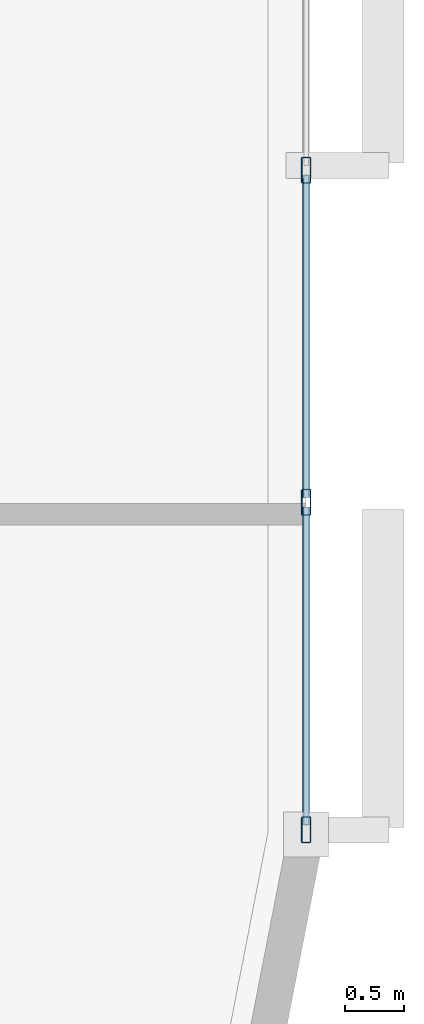
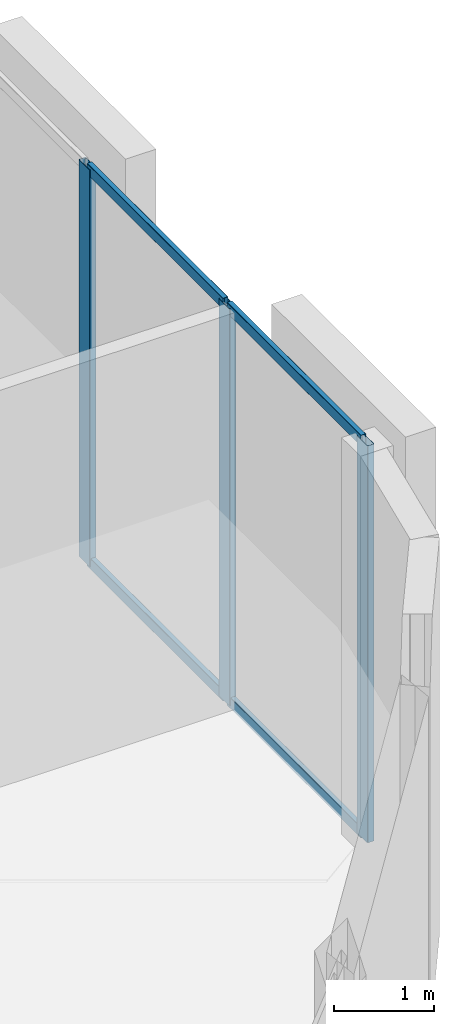
# One storey, part 4 of 12: 7 members, 1 element without a shape of its own.
"""IFC4 building model written with IfcOpenShell, lengths in metres."""

from ifc_helpers import new_model, si_unit, direction, frame, origin, origin_2d, place, context, subcontext, project, spatial, hollow_rectangle, extrude, material, layer, layer_set, material_profile, profile_set, type_object, element, aggregate, save


model = new_model("IFC4")

# Units and contexts
model_context = context("Model", 3, precision=1e-05, world=origin(), true_north=direction((0.0, 1.0)))
body_context = subcontext(model_context, "Body", "Model", "MODEL_VIEW")
ifc_project = project(units=[si_unit("LENGTHUNIT", "METRE"), si_unit("AREAUNIT", "SQUARE_METRE"), si_unit("VOLUMEUNIT", "CUBIC_METRE"), si_unit("PLANEANGLEUNIT", "RADIAN"), si_unit("MASSUNIT", "GRAM", prefix="KILO")], contexts=[model_context])

# Site, building, storey
site_placement = place(None, origin())
site = spatial("IfcSite", under=ifc_project, at=site_placement, CompositionType="ELEMENT")
building_placement = place(site_placement, origin())
building = spatial("IfcBuilding", under=site, at=building_placement, Name="An Khanh Terracotta Commons", CompositionType="ELEMENT")
storey_placement = place(building_placement, frame((0.0, 0.0, 295.300048828125)))
storey = spatial("IfcBuildingStorey", under=building, at=storey_placement, Name="L77", CompositionType="ELEMENT", Elevation=295.300048828125)

# Curtain wall, members
ifc_material = material(Name="Anodised Aluminium 6063-T6", Category="aluminium")
ifc_layer = layer(ifc_material, 0.239990234375, Name="Anodised Aluminium 6063-T6")
ifc_layer_set = layer_set([ifc_layer], Name="Anodised Aluminium 6063-T6")
curtain_wall_type = type_object("IfcCurtainWallType", Name="CW-SYS-04", PredefinedType="USERDEFINED", material=ifc_layer_set)
curtain_wall_placement = place(storey_placement, origin())
curtain_wall = element("IfcCurtainWall", 1, at=curtain_wall_placement, inside=storey, type_object=curtain_wall_type, Name="L77 CW-04 Unitised Curtain Wall CW-L77-12", ObjectType="UNITISED CURTAIN WALL", PredefinedType="USERDEFINED")
ifc_material_profile_1 = material_profile(ifc_material, hollow_rectangle(XDim=0.080078125, YDim=0.219970703125, WallThickness=0.0048828125, InnerFilletRadius=0.0048828125, OuterFilletRadius=0.010009765625, at=origin_2d()), Name="RHS220x80x5")
ifc_profile_set_1 = profile_set([ifc_material_profile_1], Name="Anodised Aluminium 6063-T6")
member_type_1 = type_object("IfcMemberType", Name="CWM-RHS220x80x5", PredefinedType="MULLION", material=ifc_profile_set_1)
member_1_placement = place(storey_placement, frame((75.60009765625, 19.837890625, 0.0), z_axis=(0.0, 0.0, 1.0), x_axis=(-1.0, 0.0, 0.0)))
member_1 = element("IfcMember", 2, at=member_1_placement, type_object=member_type_1, Name="CW-04 mullion 1", PredefinedType="MULLION", context=body_context, shape_type="SweptSolid", body=[
    extrude(hollow_rectangle(XDim=0.080078125, YDim=0.219970703125, WallThickness=0.0048828125, InnerFilletRadius=0.0048828125, OuterFilletRadius=0.010009765625, at=origin_2d()), origin(), (0.0, 0.0, 1.0), 4.849853515625),
])
member_2_placement = place(storey_placement, frame((75.60009765625, 22.599365234375, 0.0), z_axis=(0.0, 0.0, 1.0), x_axis=(-1.0, 0.0, 0.0)))
member_2 = element("IfcMember", 3, at=member_2_placement, type_object=member_type_1, Name="CW-04 mullion 2", PredefinedType="MULLION", context=body_context, shape_type="SweptSolid", body=[
    extrude(hollow_rectangle(XDim=0.080078125, YDim=0.219970703125, WallThickness=0.0048828125, InnerFilletRadius=0.0048828125, OuterFilletRadius=0.010009765625, at=origin_2d()), origin(), (0.0, 0.0, 1.0), 4.849853515625),
])
member_3_placement = place(storey_placement, frame((75.60009765625, 25.400634765625, 0.0), z_axis=(0.0, 0.0, 1.0), x_axis=(-1.0, 0.0, 0.0)))
member_3 = element("IfcMember", 4, at=member_3_placement, type_object=member_type_1, Name="CW-04 mullion 3", PredefinedType="MULLION", context=body_context, shape_type="SweptSolid", body=[
    extrude(hollow_rectangle(XDim=0.080078125, YDim=0.219970703125, WallThickness=0.0048828125, InnerFilletRadius=0.0048828125, OuterFilletRadius=0.010009765625, at=origin_2d()), origin(), (0.0, 0.0, 1.0), 4.849853515625),
])
ifc_material_profile_2 = material_profile(ifc_material, hollow_rectangle(XDim=0.06005859375, YDim=0.135009765625, WallThickness=0.003662109375, InnerFilletRadius=0.003662109375, OuterFilletRadius=0.007080078125, at=origin_2d()), Name="RHS135x60x3.6")
ifc_profile_set_2 = profile_set([ifc_material_profile_2], Name="Anodised Aluminium 6063-T6")
member_type_2 = type_object("IfcMemberType", Name="CWT-RHS135x60x3.6", PredefinedType="USERDEFINED", material=ifc_profile_set_2)
member_4_placement = place(storey_placement, frame((75.60009765625, 19.8779296875, 0.030029296875), z_axis=(0.0, 1.0, 0.0), x_axis=(-1.0, 0.0, 0.0)))
member_4 = element("IfcMember", 5, at=member_4_placement, type_object=member_type_2, Name="CW-04 transom 1.1", ObjectType="TRANSOM", PredefinedType="USERDEFINED", context=body_context, shape_type="SweptSolid", body=[
    extrude(hollow_rectangle(XDim=0.06005859375, YDim=0.135009765625, WallThickness=0.003662109375, InnerFilletRadius=0.003662109375, OuterFilletRadius=0.007080078125, at=origin_2d()), origin(), (0.0, 0.0, 1.0), 2.681396484375),
])
member_5_placement = place(storey_placement, frame((75.60009765625, 19.8779296875, 4.820068359375), z_axis=(0.0, 1.0, 0.0), x_axis=(-1.0, 0.0, 0.0)))
member_5 = element("IfcMember", 6, at=member_5_placement, type_object=member_type_2, Name="CW-04 transom 1.2", ObjectType="TRANSOM", PredefinedType="USERDEFINED", context=body_context, shape_type="SweptSolid", body=[
    extrude(hollow_rectangle(XDim=0.06005859375, YDim=0.135009765625, WallThickness=0.003662109375, InnerFilletRadius=0.003662109375, OuterFilletRadius=0.007080078125, at=origin_2d()), origin(), (0.0, 0.0, 1.0), 2.681396484375),
])
member_6_placement = place(storey_placement, frame((75.60009765625, 22.639404296875, 0.030029296875), z_axis=(0.0, 1.0, 0.0), x_axis=(-1.0, 0.0, 0.0)))
member_6 = element("IfcMember", 7, at=member_6_placement, type_object=member_type_2, Name="CW-04 transom 2.1", ObjectType="TRANSOM", PredefinedType="USERDEFINED", context=body_context, shape_type="SweptSolid", body=[
    extrude(hollow_rectangle(XDim=0.06005859375, YDim=0.135009765625, WallThickness=0.003662109375, InnerFilletRadius=0.003662109375, OuterFilletRadius=0.007080078125, at=origin_2d()), origin(), (0.0, 0.0, 1.0), 2.72119140625),
])
member_7_placement = place(storey_placement, frame((75.60009765625, 22.639404296875, 4.820068359375), z_axis=(0.0, 1.0, 0.0), x_axis=(-1.0, 0.0, 0.0)))
member_7 = element("IfcMember", 8, at=member_7_placement, type_object=member_type_2, Name="CW-04 transom 2.2", ObjectType="TRANSOM", PredefinedType="USERDEFINED", context=body_context, shape_type="SweptSolid", body=[
    extrude(hollow_rectangle(XDim=0.06005859375, YDim=0.135009765625, WallThickness=0.003662109375, InnerFilletRadius=0.003662109375, OuterFilletRadius=0.007080078125, at=origin_2d()), origin(), (0.0, 0.0, 1.0), 2.72119140625),
])
aggregate(curtain_wall, [member_1, member_2, member_3, member_4, member_5, member_6, member_7])

save(model, "model.ifc")
